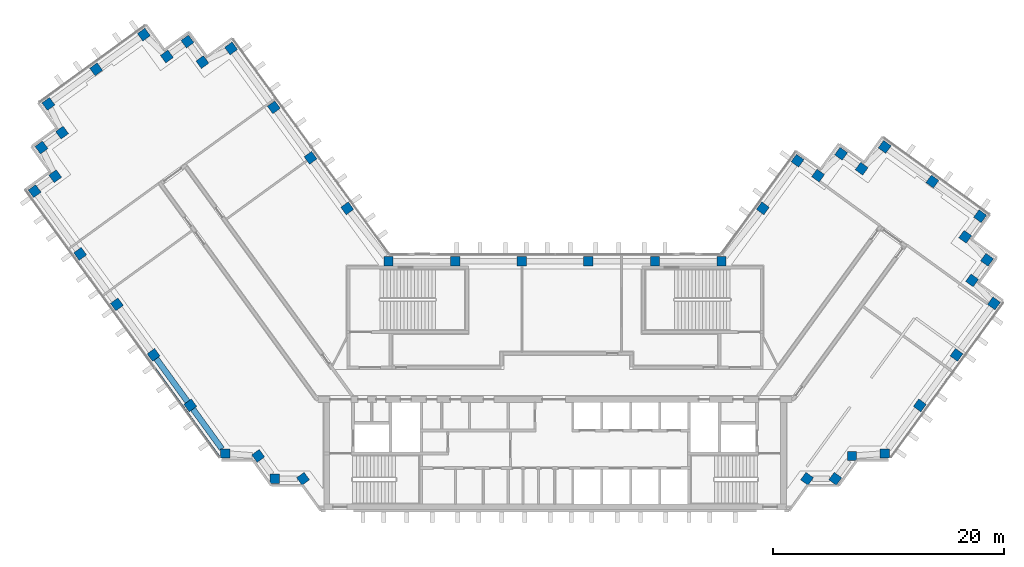
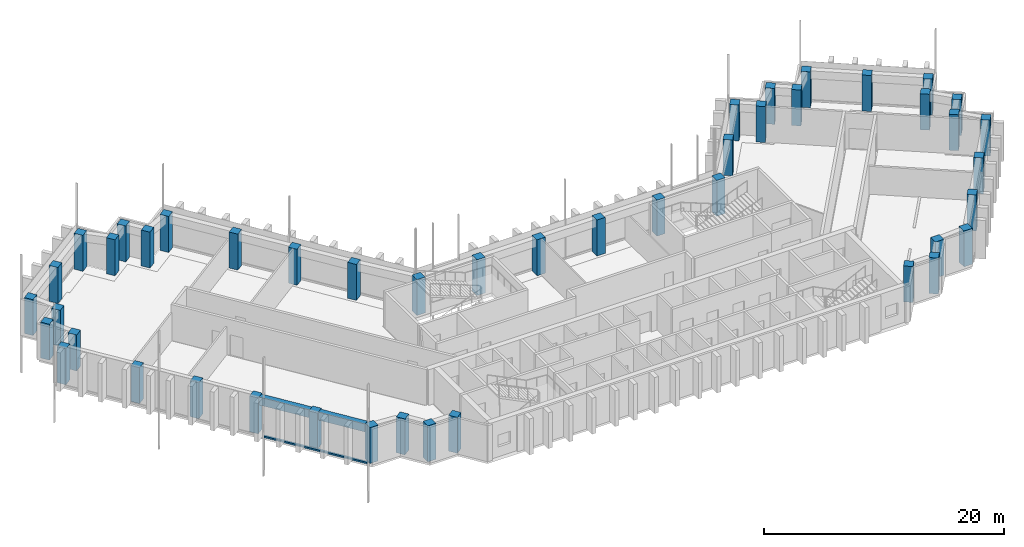
# One storey, part 1 of 12: 46 columns, 2 beams, 1 member, 1 element without a shape of its own.
"""IFC4 building model written with IfcOpenShell, lengths in metres."""

from ifc_helpers import new_model, si_unit, direction, frame, origin, origin_2d, place, context, subcontext, project, spatial, rectangle, extrude, material, material_profile, profile_set, type_object, element, aggregate, save


model = new_model("IFC4")

# Units and contexts
model_context = context("Model", 3, precision=1e-05, world=origin(), true_north=direction((0.0, 1.0)))
body_context = subcontext(model_context, "Body", "Model", "MODEL_VIEW")
ifc_project = project(units=[si_unit("LENGTHUNIT", "METRE"), si_unit("AREAUNIT", "SQUARE_METRE"), si_unit("VOLUMEUNIT", "CUBIC_METRE"), si_unit("PLANEANGLEUNIT", "RADIAN"), si_unit("MASSUNIT", "GRAM", prefix="KILO")], contexts=[model_context])

# Site, building, storey
site_placement = place(None, origin())
site = spatial("IfcSite", under=ifc_project, at=site_placement, CompositionType="ELEMENT")
building_placement = place(site_placement, origin())
building = spatial("IfcBuilding", under=site, at=building_placement, Name="Quipu Civic Tower", CompositionType="ELEMENT")
storey_placement = place(building_placement, frame((0.0, 0.0, 210.0)))
storey = spatial("IfcBuildingStorey", under=building, at=storey_placement, Name="L49", CompositionType="ELEMENT", Elevation=210.0)

# Columns
ifc_material_1 = material(Name="Concrete C50/60", Category="concrete")
ifc_material_profile_1 = material_profile(ifc_material_1, rectangle(XDim=0.800048828125, YDim=0.800048828125, at=origin_2d()), Name="RC800x800")
ifc_profile_set_1 = profile_set([ifc_material_profile_1], Name="Concrete C50/60")
column_type = type_object("IfcColumnType", Name="Perimeter column RC 800x800 C50/60", PredefinedType="COLUMN", material=ifc_profile_set_1)
for number, where, z_axis, x_axis, name in (
    (1, (-17.9736328125, 15.074951171875, 0.0), (0.0, 0.0, 1.0), (-0.587785252292, 0.809016994375, 0.0), "Column L49 W-IN-01"),
    (2, (-21.1474609375, 19.44384765625, 0.0), (0.0, 0.0, 1.0), (-0.587785252292, 0.809016994375, 0.0), "Column L49 W-IN-02"),
    (3, (-24.3212890625, 23.8125, 0.0), (0.0, 0.0, 1.0), (-0.587785252292, 0.809016994375, 0.0), "Column L49 W-IN-03"),
    (4, (-28.02001953125, 28.905029296875, 0.0), (0.0, 0.0, 1.0), (-0.809016994375, -0.587785252292, 0.0), "Column L49 T-Wi.0-W34"),
    (5, (-30.498779296875, 27.72265625, 0.0), (0.0, 0.0, 1.0), (-0.809016994375, -0.587785252292, 0.0), "Column L49 T-Wi.1-W34"),
    (6, (-31.794921875, 29.5, 0.0), (0.0, 0.0, 1.0), (-0.587785252292, 0.809016994375, 0.0), "Column L49 T-Wi.2-W34"),
    (7, (-33.573974609375, 28.20947265625, 0.0), (0.0, 0.0, 1.0), (-0.587785252292, 0.809016994375, 0.0), "Column L49 T-Wi.3-W34"),
    (8, (-35.56494140625, 30.10009765625, 0.0), (0.0, 0.0, 1.0), (-0.809016994375, -0.587785252292, 0.0), "Column L49 T-Wi.4-W34"),
    (9, (-39.690673828125, 27.10205078125, 0.0), (0.0, 0.0, 1.0), (-0.809016994375, -0.587785252292, 0.0), "Column L49 TIP-W-01-W34"),
    (10, (-43.81494140625, 24.10498046875, 0.0), (0.0, 0.0, 1.0), (-0.809016994375, -0.587785252292, 0.0), "Column L49 T-Wo.0-W34"),
    (11, (-42.635009765625, 21.626220703125, 0.0), (0.0, 0.0, 1.0), (-0.809016994375, -0.587785252292, 0.0), "Column L49 T-Wo.1-W34"),
    (12, (-44.4150390625, 20.3349609375, 0.0), (0.0, 0.0, 1.0), (0.587785252292, -0.809016994375, 0.0), "Column L49 T-Wo.2-W34"),
    (13, (-43.23095703125, 17.8544921875, 0.0), (0.0, 0.0, 1.0), (0.587785252292, -0.809016994375, 0.0), "Column L49 T-Wo.3-W34"),
    (14, (-45.010009765625, 16.56005859375, 0.0), (0.0, 0.0, 1.0), (0.587785252292, -0.809016994375, 0.0), "Column L49 T-Wo.4-W34"),
    (15, (-41.0703125, 11.137451171875, 0.0), (0.0, 0.0, 1.0), (0.587785252292, -0.809016994375, 0.0), "Column L49 W-OUT-04"),
    (16, (-37.896240234375, 6.768798828125, 0.0), (0.0, 0.0, 1.0), (0.587785252292, -0.809016994375, 0.0), "Column L49 W-OUT-03"),
    (17, (-34.722412109375, 2.39990234375, 0.0), (0.0, 0.0, 1.0), (0.587785252292, -0.809016994375, 0.0), "Column L49 W-OUT-02"),
    (18, (-31.54833984375, -1.96875, 0.0), (0.0, 0.0, 1.0), (0.587785252292, -0.809016994375, 0.0), "Column L49 W-OUT-01"),
    (19, (-28.52490234375, -6.1298828125, 0.0), (0.0, 0.0, 1.0), (1.0, 0.0, 0.0), "Column L49 J-Wo.0"),
    (20, (-25.67431640625, -6.3369140625, 0.0), (0.0, 0.0, 1.0), (0.587785252292, -0.809016994375, 0.0), "Column L49 J-Wo.1"),
    (21, (-24.235107421875, -8.31494140625, 0.0), (0.0, 0.0, 1.0), (1.0, 0.0, 0.0), "Column L49 J-Wo.2"),
    (22, (-21.791748046875, -8.31494140625, 0.0), (0.0, 0.0, 1.0), (0.587785252292, -0.809016994375, 0.0), "Column L49 J-Wo.3"),
    (23, (21.791748046875, -8.31494140625, 0.0), (0.0, 0.0, 1.0), (0.587785252292, 0.809016994375, 0.0), "Column L49 J-Eo.1"),
    (24, (24.235107421875, -8.31494140625, 0.0), (0.0, 0.0, 1.0), (0.587785252292, 0.809016994375, 0.0), "Column L49 J-Eo.2"),
    (25, (25.67431640625, -6.3369140625, 0.0), (0.0, 0.0, 1.0), (1.0, 0.0, 0.0), "Column L49 J-Eo.3"),
    (26, (28.52490234375, -6.1298828125, 0.0), (0.0, 0.0, 1.0), (1.0, 0.0, 0.0), "Column L49 J-Eo.4"),
    (27, (31.54833984375, -1.96875, 0.0), (0.0, 0.0, 1.0), (0.587785252292, 0.809016994375, 0.0), "Column L49 E-OUT-01"),
    (28, (34.722412109375, 2.39990234375, 0.0), (0.0, 0.0, 1.0), (0.587785252292, 0.809016994375, 0.0), "Column L49 E-OUT-02"),
    (29, (37.9599609375, 6.85498046875, 0.0), (0.0, 0.0, 1.0), (0.587785252292, 0.809016994375, 0.0), "Column L49 T-Eo.0-E22"),
    (30, (36.068115234375, 8.843994140625, 0.0), (0.0, 0.0, 1.0), (0.587785252292, 0.809016994375, 0.0), "Column L49 T-Eo.1-E22"),
    (31, (37.360107421875, 10.625, 0.0), (0.0, 0.0, 1.0), (0.587785252292, 0.809016994375, 0.0), "Column L49 T-Eo.2-E22"),
    (32, (35.470703125, 12.616455078125, 0.0), (0.0, 0.0, 1.0), (-0.809016994375, 0.587785252292, 0.0), "Column L49 T-Eo.3-E22"),
    (33, (36.764892578125, 14.39501953125, 0.0), (0.0, 0.0, 1.0), (-0.809016994375, 0.587785252292, 0.0), "Column L49 T-Eo.4-E22"),
    (34, (32.636962890625, 17.39306640625, 0.0), (0.0, 0.0, 1.0), (-0.809016994375, 0.587785252292, 0.0), "Column L49 TIP-E-01-E22"),
    (35, (28.510009765625, 20.389892578125, 0.0), (0.0, 0.0, 1.0), (-0.587785252292, -0.809016994375, 0.0), "Column L49 T-Ei.0-E22"),
    (36, (26.51904296875, 18.50048828125, 0.0), (0.0, 0.0, 1.0), (-0.809016994375, 0.587785252292, 0.0), "Column L49 T-Ei.1-E22"),
    (37, (24.739990234375, 19.794921875, 0.0), (0.0, 0.0, 1.0), (-0.587785252292, -0.809016994375, 0.0), "Column L49 T-Ei.2-E22"),
    (38, (22.749267578125, 17.904296875, 0.0), (0.0, 0.0, 1.0), (-0.587785252292, -0.809016994375, 0.0), "Column L49 T-Ei.3-E22"),
    (39, (20.969970703125, 19.195068359375, 0.0), (0.0, 0.0, 1.0), (-0.587785252292, -0.809016994375, 0.0), "Column L49 T-Ei.4-E22"),
    (40, (17.9736328125, 15.074951171875, 0.0), (0.0, 0.0, 1.0), (-0.587785252292, -0.809016994375, 0.0), "Column L49 E-IN-01"),
    (41, (14.395263671875, 10.5, 0.0), (0.0, 0.0, 1.0), (-1.0, 0.0, 0.0), "Column L49 J-Ei.0"),
    (42, (8.63720703125, 10.5, 0.0), (0.0, 0.0, 1.0), (-1.0, 0.0, 0.0), "Column L49 FRONT-01"),
    (43, (2.87890625, 10.5, 0.0), (0.0, 0.0, 1.0), (-1.0, 0.0, 0.0), "Column L49 FRONT-02"),
    (44, (-2.87890625, 10.5, 0.0), (0.0, 0.0, 1.0), (-1.0, 0.0, 0.0), "Column L49 FRONT-03"),
    (45, (-8.63720703125, 10.5, 0.0), (0.0, 0.0, 1.0), (-1.0, 0.0, 0.0), "Column L49 FRONT-04"),
    (46, (-14.395263671875, 10.5, 0.0), (0.0, 0.0, 1.0), (-1.0, 0.0, 0.0), "Column L49 J-Wi.0"),
):
    element("IfcColumn", number, at=place(storey_placement, frame(where, z_axis=z_axis, x_axis=x_axis)), inside=storey, type_object=column_type, Name=name, PredefinedType="COLUMN", context=body_context, shape_type="SweptSolid", body=[
        extrude(rectangle(XDim=0.800048828125, YDim=0.800048828125, at=origin_2d()), origin(), (0.0, 0.0, 1.0), 3.64990234375),
    ])

# Beams
ifc_material_2 = material(Name="Concrete C50/60", Category="concrete")
ifc_material_profile_2 = material_profile(ifc_material_2, rectangle(XDim=0.5, YDim=0.800048828125, at=origin_2d()), Name="RC500x800")
ifc_profile_set_2 = profile_set([ifc_material_profile_2], Name="Concrete C50/60")
beam_type = type_object("IfcBeamType", Name="Spandrel beam RC 500x800 C50/60", PredefinedType="SPANDREL", material=ifc_profile_set_2)
beam_1_placement = place(storey_placement, frame((-34.4873046875, 2.076416015625, 3.25), z_axis=(0.587796098864, -0.809009113768, 0.0), x_axis=(0.809009113768, 0.587796098864, 0.0)))
element("IfcBeam", 47, at=beam_1_placement, inside=storey, type_object=beam_type, Name="Spandrel beam L49 W-OUT-02 to W-OUT-01", PredefinedType="SPANDREL", context=body_context, shape_type="SweptSolid", body=[
    extrude(rectangle(XDim=0.5, YDim=0.800048828125, at=origin_2d()), origin(), (0.0, 0.0, 1.0), 4.60009765625),
])
beam_2_placement = place(storey_placement, frame((-31.313232421875, -2.292236328125, 3.25), z_axis=(0.58776850526, -0.809029161541, 0.0), x_axis=(0.809029161541, 0.58776850526, 0.0)))
element("IfcBeam", 48, at=beam_2_placement, inside=storey, type_object=beam_type, Name="Spandrel beam L49 W-OUT-01 to J-Wo.0", PredefinedType="SPANDREL", context=body_context, shape_type="SweptSolid", body=[
    extrude(rectangle(XDim=0.5, YDim=0.800048828125, at=origin_2d()), origin(), (0.0, 0.0, 1.0), 4.249267578125),
])

# Curtain wall, member
ifc_material_3 = material(Name="Insulated glass unit", Category="glass")
curtain_wall_type = type_object("IfcCurtainWallType", Name="Office curtain wall CW1", PredefinedType="NOTDEFINED", material=ifc_material_3)
curtain_wall_placement = place(storey_placement, origin())
curtain_wall = element("IfcCurtainWall", 49, at=curtain_wall_placement, inside=storey, type_object=curtain_wall_type, Name="Office curtain wall CW1 L48 run 18", PredefinedType="NOTDEFINED")
ifc_material_4 = material(Name="Anodised aluminium", Category="aluminium")
ifc_material_profile_3 = material_profile(ifc_material_4, rectangle(XDim=0.199951171875, YDim=0.159912109375, at=origin_2d()), Name="RECT 200x160")
ifc_profile_set_3 = profile_set([ifc_material_profile_3], Name="Anodised aluminium")
member_type = type_object("IfcMemberType", Name="Transom CW1", PredefinedType="USERDEFINED", material=ifc_profile_set_3)
member_placement = place(storey_placement, frame((-34.596923828125, 1.20654296875, 0.080078125), z_axis=(0.587783783239, -0.809018061703, 0.0), x_axis=(0.809018061703, 0.587783783239, 0.0)))
member = element("IfcMember", 50, at=member_placement, type_object=member_type, Name="CW1 transom 3.2", ObjectType="TRANSOM", PredefinedType="USERDEFINED", context=body_context, shape_type="SweptSolid", body=[
    extrude(rectangle(XDim=0.199951171875, YDim=0.159912109375, at=origin_2d()), origin(), (0.0, 0.0, 1.0), 9.431884765625),
])
aggregate(curtain_wall, [member])

save(model, "model.ifc")
